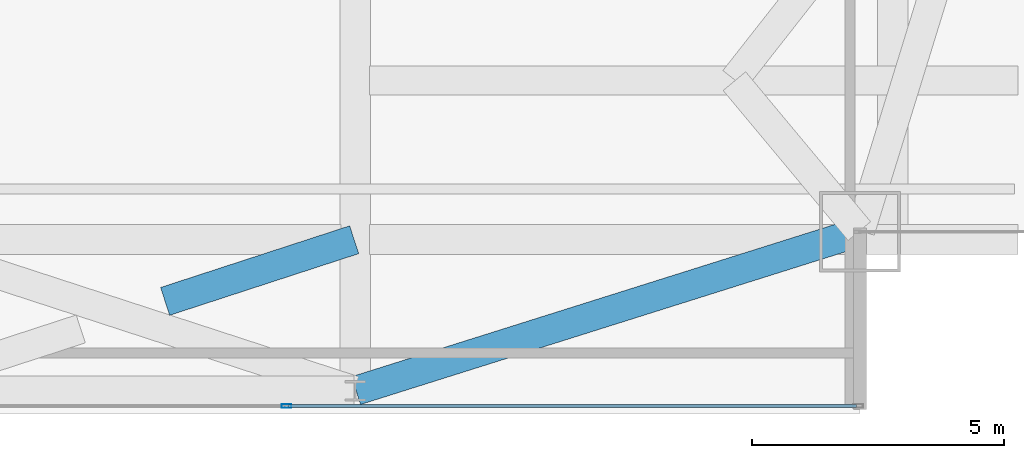
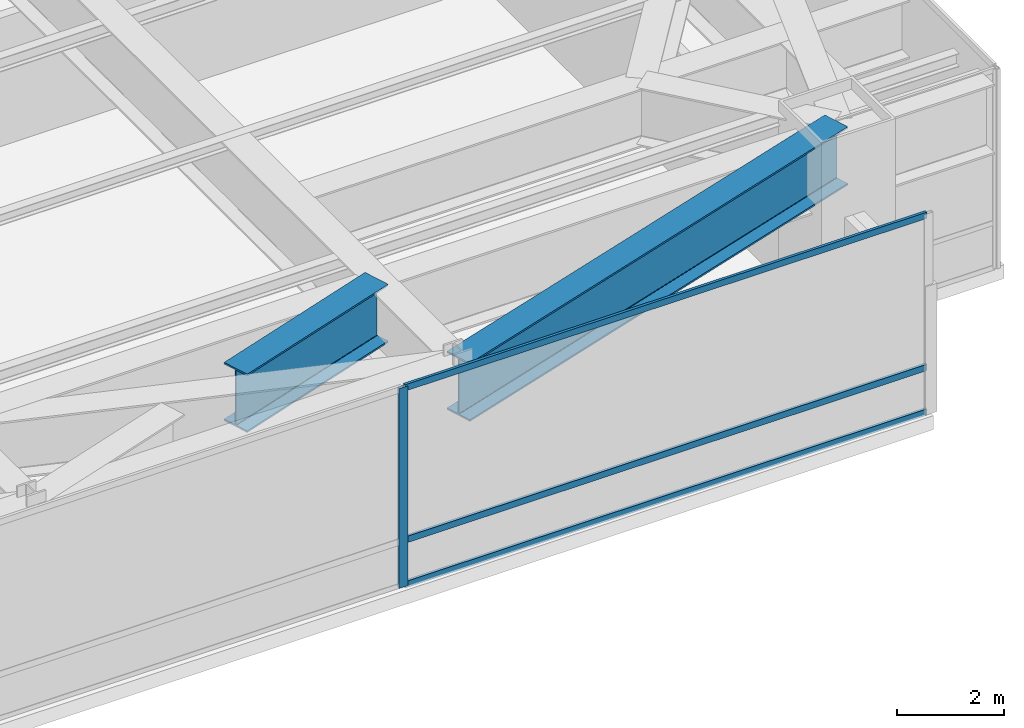
# One storey, part 14 of 30: 4 members, 2 beams, 1 element without a shape of its own.
"""IFC4 building model written with IfcOpenShell, lengths in metres."""

from ifc_helpers import new_model, si_unit, direction, frame, origin, origin_2d, place, context, subcontext, project, spatial, hollow_rectangle, i_section, extrude, source, transform, mapped, material, layer, layer_set, material_profile, profile_set, type_object, type_shapes, element, aggregate, save


model = new_model("IFC4")

# Units and contexts
model_context = context("Model", 3, precision=1e-05, world=origin(), true_north=direction((0.0, 1.0)))
body_context = subcontext(model_context, "Body", "Model", "MODEL_VIEW")
ifc_project = project(units=[si_unit("LENGTHUNIT", "METRE"), si_unit("AREAUNIT", "SQUARE_METRE"), si_unit("VOLUMEUNIT", "CUBIC_METRE"), si_unit("PLANEANGLEUNIT", "RADIAN"), si_unit("MASSUNIT", "GRAM", prefix="KILO")], contexts=[model_context])

# Site, building, storey
site_placement = place(None, origin())
site = spatial("IfcSite", under=ifc_project, at=site_placement, CompositionType="ELEMENT")
building_placement = place(site_placement, origin())
building = spatial("IfcBuilding", under=site, at=building_placement, Name="Varnel Quay Broadcast Tower", CompositionType="ELEMENT")
storey_placement = place(building_placement, frame((0.0, 0.0, 82.199951171875)))
storey = spatial("IfcBuildingStorey", under=building, at=storey_placement, Name="L19", CompositionType="ELEMENT", Elevation=82.199951171875)

# Beams
ifc_material_1 = material(Name="Structural Steel CSA G40.21 350WT", Category="steel")
ifc_material_profile_1 = material_profile(ifc_material_1, i_section(OverallWidth=0.580078125, OverallDepth=1.330078125, WebThickness=0.02197265625, FlangeThickness=0.0380859375, FilletRadius=0.02001953125, at=origin_2d()), Name="WWF1330X535")
ifc_profile_set_1 = profile_set([ifc_material_profile_1], Name="Structural Steel CSA G40.21 350WT")
beam_type = type_object("IfcBeamType", Name="Girder_WWF1330X535", PredefinedType="BEAM", material=ifc_profile_set_1)
shared_shape_1 = source(origin(), body_context, "Body", "SweptSolid", [
    extrude(i_section(OverallWidth=0.580078125, OverallDepth=1.330078125, WebThickness=0.02197265625, FlangeThickness=0.0380859375, FilletRadius=0.02001953125, at=origin_2d()), origin(), (0.0, 0.0, 1.0), 10.444091796875),
])
beam_1_placement = place(storey_placement, frame((52.419189453125, 1.656005859375, 3.885009765625), z_axis=(0.953798277271, 0.300447743003, 0.0), x_axis=(-0.300447743003, 0.953798277271, 0.0)))
element("IfcBeam", 1, at=beam_1_placement, inside=storey, type_object=beam_type, Name="L19 Perimeter Transfer Spine TC-S5-MC-SE", PredefinedType="BEAM", context=body_context, shape_type="MappedRepresentation", body=[
    mapped(shared_shape_1, transform((0.0, 0.0, 0.0), x_axis=(1.0, 0.0, 0.0), y_axis=(0.0, 1.0, 0.0), z_axis=(0.0, 0.0, 1.0), scale=1.0)),
])
shared_shape_2 = source(origin(), body_context, "Body", "SweptSolid", [
    extrude(i_section(OverallWidth=0.580078125, OverallDepth=1.330078125, WebThickness=0.02197265625, FlangeThickness=0.0380859375, FilletRadius=0.02001953125, at=origin_2d()), origin(), (0.0, 0.0, 1.0), 3.939453125),
])
type_shapes(beam_type, [shared_shape_1, shared_shape_2])
beam_2_placement = place(storey_placement, frame((48.6357421875, 3.422607421875, 3.885009765625), z_axis=(0.950738972318, 0.309992591065, 0.0), x_axis=(-0.309992591065, 0.950738972318, 0.0)))
element("IfcBeam", 2, at=beam_2_placement, inside=storey, type_object=beam_type, Name="L19 X-Braced Transfer Tie TC-S5-TC-S4 Part 2", PredefinedType="BEAM", context=body_context, shape_type="MappedRepresentation", body=[
    mapped(shared_shape_2, transform((0.0, 0.0, 0.0), x_axis=(1.0, 0.0, 0.0), y_axis=(0.0, 1.0, 0.0), z_axis=(0.0, 0.0, 1.0), scale=1.0)),
])

# Curtain wall, members
ifc_material_2 = material(Name="Anodised Bronze Aluminium 6063-T6", Category="aluminium")
ifc_layer = layer(ifc_material_2, 0.18994140625, Name="Anodised Bronze Aluminium 6063-T6")
ifc_layer_set = layer_set([ifc_layer], Name="Anodised Bronze Aluminium 6063-T6")
curtain_wall_type = type_object("IfcCurtainWallType", Name="CW_LowerTower", PredefinedType="NOTDEFINED", material=ifc_layer_set)
curtain_wall_placement = place(storey_placement, origin())
curtain_wall = element("IfcCurtainWall", 3, at=curtain_wall_placement, inside=storey, type_object=curtain_wall_type, Name="L19 South Unitised Curtain Wall 1", PredefinedType="NOTDEFINED")
ifc_material_profile_2 = material_profile(ifc_material_2, hollow_rectangle(XDim=0.06005859375, YDim=0.14501953125, WallThickness=0.00341796875, at=origin_2d()), Name="ALU60X145X3.5")
ifc_profile_set_2 = profile_set([ifc_material_profile_2], Name="Anodised Bronze Aluminium 6063-T6")
member_type_1 = type_object("IfcMemberType", Name="Tran_CWS-02", PredefinedType="USERDEFINED", material=ifc_profile_set_2)
shared_shape_3 = source(origin(), body_context, "Body", "SweptSolid", [
    extrude(hollow_rectangle(XDim=0.06005859375, YDim=0.14501953125, WallThickness=0.00341796875, at=origin_2d()), origin(), (0.0, 0.0, 1.0), 11.255126953125),
])
type_shapes(member_type_1, [shared_shape_3])
member_1_placement = place(storey_placement, frame((51.074951171875, 1.35009765625, 0.030029296875), z_axis=(1.0, 0.0, 0.0), x_axis=(0.0, 1.0, 0.0)))
member_1 = element("IfcMember", 4, at=member_1_placement, type_object=member_type_1, Name="CWS-02 transom 5.1", ObjectType="TRANSOM", PredefinedType="USERDEFINED", context=body_context, shape_type="MappedRepresentation", body=[
    mapped(shared_shape_3, transform((0.0, 0.0, 0.0), x_axis=(1.0, 0.0, 0.0), y_axis=(0.0, 1.0, 0.0), z_axis=(0.0, 0.0, 1.0), scale=1.0)),
])
member_2_placement = place(storey_placement, frame((51.074951171875, 1.35009765625, 1.050048828125), z_axis=(1.0, 0.0, 0.0), x_axis=(0.0, 1.0, 0.0)))
member_2 = element("IfcMember", 5, at=member_2_placement, type_object=member_type_1, Name="CWS-02 transom 5.2", ObjectType="TRANSOM", PredefinedType="USERDEFINED", context=body_context, shape_type="MappedRepresentation", body=[
    mapped(shared_shape_3, transform((0.0, 0.0, 0.0), x_axis=(1.0, 0.0, 0.0), y_axis=(0.0, 1.0, 0.0), z_axis=(0.0, 0.0, 1.0), scale=1.0)),
])
member_3_placement = place(storey_placement, frame((51.074951171875, 1.35009765625, 4.52001953125), z_axis=(1.0, 0.0, 0.0), x_axis=(0.0, 1.0, 0.0)))
member_3 = element("IfcMember", 6, at=member_3_placement, type_object=member_type_1, Name="CWS-02 transom 5.3", ObjectType="TRANSOM", PredefinedType="USERDEFINED", context=body_context, shape_type="MappedRepresentation", body=[
    mapped(shared_shape_3, transform((0.0, 0.0, 0.0), x_axis=(1.0, 0.0, 0.0), y_axis=(0.0, 1.0, 0.0), z_axis=(0.0, 0.0, 1.0), scale=1.0)),
])
ifc_material_profile_3 = material_profile(ifc_material_2, hollow_rectangle(XDim=0.070068359375, YDim=0.18994140625, WallThickness=0.00390625, at=origin_2d()), Name="ALU70X190X4")
ifc_profile_set_3 = profile_set([ifc_material_profile_3], Name="Anodised Bronze Aluminium 6063-T6")
member_type_2 = type_object("IfcMemberType", Name="Mull_CWS-02", PredefinedType="MULLION", material=ifc_profile_set_3)
shared_shape_4 = source(origin(), body_context, "Body", "SweptSolid", [
    extrude(hollow_rectangle(XDim=0.070068359375, YDim=0.18994140625, WallThickness=0.00390625, at=origin_2d()), origin(), (0.0, 0.0, 1.0), 4.550048828125),
])
type_shapes(member_type_2, [shared_shape_4])
member_4_placement = place(storey_placement, frame((51.0400390625, 1.35009765625, 0.0), z_axis=(0.0, 0.0, 1.0), x_axis=(0.0, 1.0, 0.0)))
member_4 = element("IfcMember", 7, at=member_4_placement, type_object=member_type_2, Name="CWS-02 mullion 5", PredefinedType="MULLION", context=body_context, shape_type="MappedRepresentation", body=[
    mapped(shared_shape_4, transform((0.0, 0.0, 0.0), x_axis=(1.0, 0.0, 0.0), y_axis=(0.0, 1.0, 0.0), z_axis=(0.0, 0.0, 1.0), scale=1.0)),
])
aggregate(curtain_wall, [member_4, member_1, member_2, member_3])

save(model, "model.ifc")
